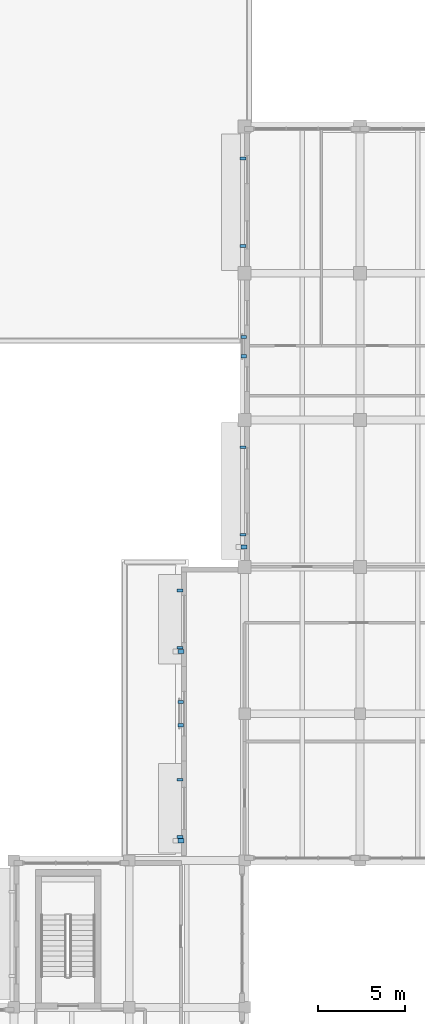
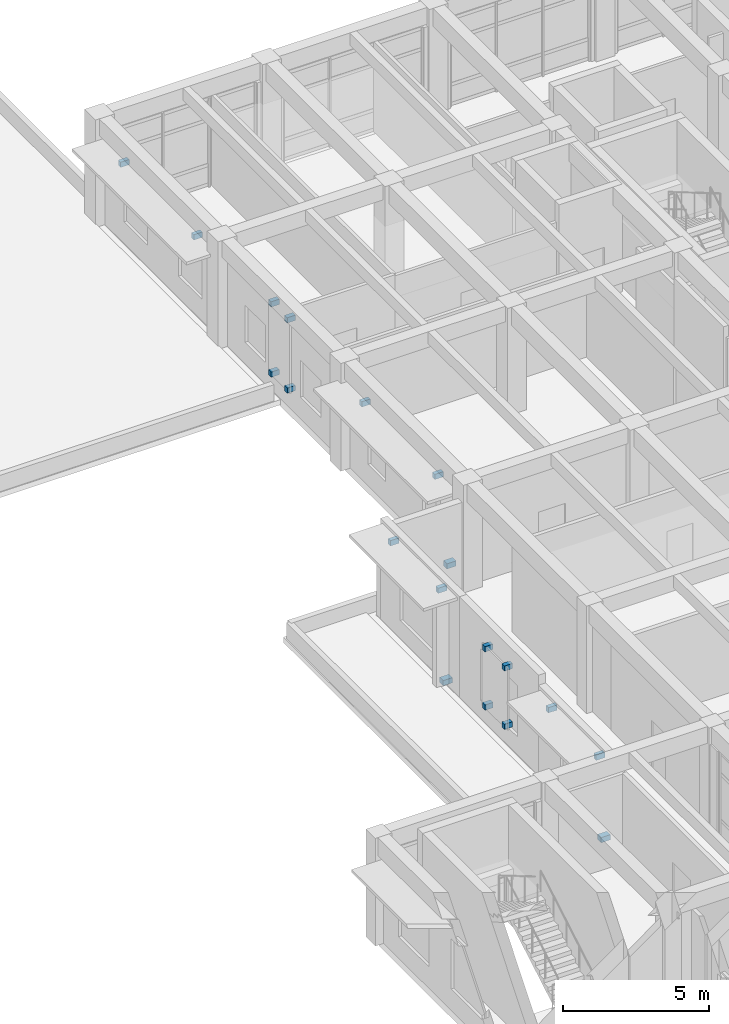
# One storey, part 40 of 50: 19 discrete accessories.
"""IFC4 building model written with IfcOpenShell, lengths in metres."""

from ifc_helpers import new_model, si_unit, direction, frame, origin, origin_2d, place, context, subcontext, project, spatial, rectangle, extrude, material, type_object, element, save


model = new_model("IFC4")

# Units and contexts
model_context = context("Model", 3, precision=1e-05, world=origin(), true_north=direction((0.0, 1.0)))
body_context = subcontext(model_context, "Body", "Model", "MODEL_VIEW")
ifc_project = project(units=[si_unit("LENGTHUNIT", "METRE"), si_unit("AREAUNIT", "SQUARE_METRE"), si_unit("VOLUMEUNIT", "CUBIC_METRE"), si_unit("PLANEANGLEUNIT", "RADIAN"), si_unit("MASSUNIT", "GRAM", prefix="KILO")], contexts=[model_context])

# Site, building, storey
site_placement = place(None, origin())
site = spatial("IfcSite", under=ifc_project, at=site_placement, CompositionType="ELEMENT")
building_placement = place(site_placement, origin())
building = spatial("IfcBuilding", under=site, at=building_placement, Name="Kolvaren Faculty of Natural Sciences", CompositionType="ELEMENT")
storey_placement = place(building_placement, frame((0.0, 0.0, 15.0)))
storey = spatial("IfcBuildingStorey", under=building, at=storey_placement, Name="L03", CompositionType="ELEMENT", Elevation=15.0)

# Discrete accessories
ifc_material = material(Name="Structural steel EN 10025-2 S355J2", Category="steel")
discrete_accessory_type = type_object("IfcDiscreteAccessoryType", Name="FacadeSupportBracket_260", PredefinedType="BRACKET", material=ifc_material)
discrete_accessory_1_placement = place(storey_placement, frame((135.159912109375, 43.330078125, 0.10986328125), z_axis=(0.0, 0.0, 1.0), x_axis=(0.0, 1.0, 0.0)))
element("IfcDiscreteAccessory", 1, at=discrete_accessory_1_placement, inside=storey, type_object=discrete_accessory_type, Name="L03 facade relief pier anchor bracket 7", PredefinedType="BRACKET", context=body_context, shape_type="SweptSolid", body=[
    extrude(rectangle(XDim=0.239990234375, YDim=0.360107421875, at=origin_2d()), origin(), (0.0, 0.0, 1.0), 0.219970703125),
])
for number, where, z_axis, x_axis, name in (
    (2, (135.10009765625, 43.55029296875, 3.4150390625), (0.0, 0.0, 1.0), (0.0, 1.0, 0.0), "L03 chhajja hood steel bracket"),
    (3, (135.10009765625, 46.822998046875, 3.4150390625), (0.0, 0.0, 1.0), (0.0, 1.0, 0.0), "L03 chhajja hood steel bracket"),
):
    element("IfcDiscreteAccessory", number, at=place(storey_placement, frame(where, z_axis=z_axis, x_axis=x_axis)), inside=storey, type_object=discrete_accessory_type, Name=name, PredefinedType="BRACKET", context=body_context, shape_type="SweptSolid", body=[
        extrude(rectangle(XDim=0.159912109375, YDim=0.340087890625, at=origin_2d()), origin(), (0.0, 0.0, 1.0), 0.219970703125),
    ])
for number, where, z_axis, x_axis, name in (
    (4, (135.139892578125, 49.93505859375, 0.81982421875), (0.0, 0.0, 1.0), (0.0, 1.0, 0.0), "L03 jali screen wall bracket"),
    (5, (135.139892578125, 51.264892578125, 0.81982421875), (0.0, 0.0, 1.0), (0.0, 1.0, 0.0), "L03 jali screen wall bracket"),
    (6, (135.139892578125, 49.93505859375, 3.26025390625), (0.0, 0.0, 1.0), (0.0, 1.0, 0.0), "L03 jali screen wall bracket"),
    (7, (135.139892578125, 51.264892578125, 3.26025390625), (0.0, 0.0, 1.0), (0.0, 1.0, 0.0), "L03 jali screen wall bracket"),
):
    element("IfcDiscreteAccessory", number, at=place(storey_placement, frame(where, z_axis=z_axis, x_axis=x_axis)), inside=storey, type_object=discrete_accessory_type, Name=name, PredefinedType="BRACKET", context=body_context, shape_type="SweptSolid", body=[
        extrude(rectangle(XDim=0.179931640625, YDim=0.320068359375, at=origin_2d()), origin(), (0.0, 0.0, 1.0), 0.219970703125),
    ])
discrete_accessory_2_placement = place(storey_placement, frame((135.159912109375, 54.15673828125, 0.10986328125), z_axis=(0.0, 0.0, 1.0), x_axis=(0.0, 1.0, 0.0)))
element("IfcDiscreteAccessory", 8, at=discrete_accessory_2_placement, inside=storey, type_object=discrete_accessory_type, Name="L03 facade relief pier anchor bracket 8", PredefinedType="BRACKET", context=body_context, shape_type="SweptSolid", body=[
    extrude(rectangle(XDim=0.239990234375, YDim=0.360107421875, at=origin_2d()), origin(), (0.0, 0.0, 1.0), 0.219970703125),
])
for number, where, z_axis, x_axis, name in (
    (9, (135.10009765625, 54.377197265625, 3.830078125), (0.0, 0.0, 1.0), (0.0, 1.0, 0.0), "L03 chhajja hood steel bracket"),
    (10, (135.10009765625, 57.649658203125, 3.830078125), (0.0, 0.0, 1.0), (0.0, 1.0, 0.0), "L03 chhajja hood steel bracket"),
):
    element("IfcDiscreteAccessory", number, at=place(storey_placement, frame(where, z_axis=z_axis, x_axis=x_axis)), inside=storey, type_object=discrete_accessory_type, Name=name, PredefinedType="BRACKET", context=body_context, shape_type="SweptSolid", body=[
        extrude(rectangle(XDim=0.159912109375, YDim=0.340087890625, at=origin_2d()), origin(), (0.0, 0.0, 1.0), 0.219970703125),
    ])
discrete_accessory_3_placement = place(storey_placement, frame((138.760009765625, 60.1298828125, 0.10986328125), z_axis=(0.0, 0.0, 1.0), x_axis=(0.0, 1.0, 0.0)))
element("IfcDiscreteAccessory", 11, at=discrete_accessory_3_placement, inside=storey, type_object=discrete_accessory_type, Name="L03 facade relief pier anchor bracket 9", PredefinedType="BRACKET", context=body_context, shape_type="SweptSolid", body=[
    extrude(rectangle(XDim=0.239990234375, YDim=0.360107421875, at=origin_2d()), origin(), (0.0, 0.0, 1.0), 0.219970703125),
])
for number, where, z_axis, x_axis, name in (
    (12, (138.699951171875, 60.837646484375, 3.4150390625), (0.0, 0.0, 1.0), (0.0, 1.0, 0.0), "L03 chhajja hood steel bracket"),
    (13, (138.699951171875, 65.84228515625, 3.4150390625), (0.0, 0.0, 1.0), (0.0, 1.0, 0.0), "L03 chhajja hood steel bracket"),
):
    element("IfcDiscreteAccessory", number, at=place(storey_placement, frame(where, z_axis=z_axis, x_axis=x_axis)), inside=storey, type_object=discrete_accessory_type, Name=name, PredefinedType="BRACKET", context=body_context, shape_type="SweptSolid", body=[
        extrude(rectangle(XDim=0.159912109375, YDim=0.340087890625, at=origin_2d()), origin(), (0.0, 0.0, 1.0), 0.219970703125),
    ])
for number, where, z_axis, x_axis, name in (
    (14, (138.739990234375, 71.049072265625, 0.81982421875), (0.0, 0.0, 1.0), (0.0, 1.0, 0.0), "L03 jali screen wall bracket"),
    (15, (138.739990234375, 72.15087890625, 0.81982421875), (0.0, 0.0, 1.0), (0.0, 1.0, 0.0), "L03 jali screen wall bracket"),
    (16, (138.739990234375, 71.049072265625, 3.76025390625), (0.0, 0.0, 1.0), (0.0, 1.0, 0.0), "L03 jali screen wall bracket"),
    (17, (138.739990234375, 72.15087890625, 3.76025390625), (0.0, 0.0, 1.0), (0.0, 1.0, 0.0), "L03 jali screen wall bracket"),
):
    element("IfcDiscreteAccessory", number, at=place(storey_placement, frame(where, z_axis=z_axis, x_axis=x_axis)), inside=storey, type_object=discrete_accessory_type, Name=name, PredefinedType="BRACKET", context=body_context, shape_type="SweptSolid", body=[
        extrude(rectangle(XDim=0.179931640625, YDim=0.320068359375, at=origin_2d()), origin(), (0.0, 0.0, 1.0), 0.219970703125),
    ])
for number, where, z_axis, x_axis, name in (
    (18, (138.699951171875, 77.357666015625, 3.4150390625), (0.0, 0.0, 1.0), (0.0, 1.0, 0.0), "L03 chhajja hood steel bracket"),
    (19, (138.699951171875, 82.3623046875, 3.4150390625), (0.0, 0.0, 1.0), (0.0, 1.0, 0.0), "L03 chhajja hood steel bracket"),
):
    element("IfcDiscreteAccessory", number, at=place(storey_placement, frame(where, z_axis=z_axis, x_axis=x_axis)), inside=storey, type_object=discrete_accessory_type, Name=name, PredefinedType="BRACKET", context=body_context, shape_type="SweptSolid", body=[
        extrude(rectangle(XDim=0.159912109375, YDim=0.340087890625, at=origin_2d()), origin(), (0.0, 0.0, 1.0), 0.219970703125),
    ])

save(model, "model.ifc")
